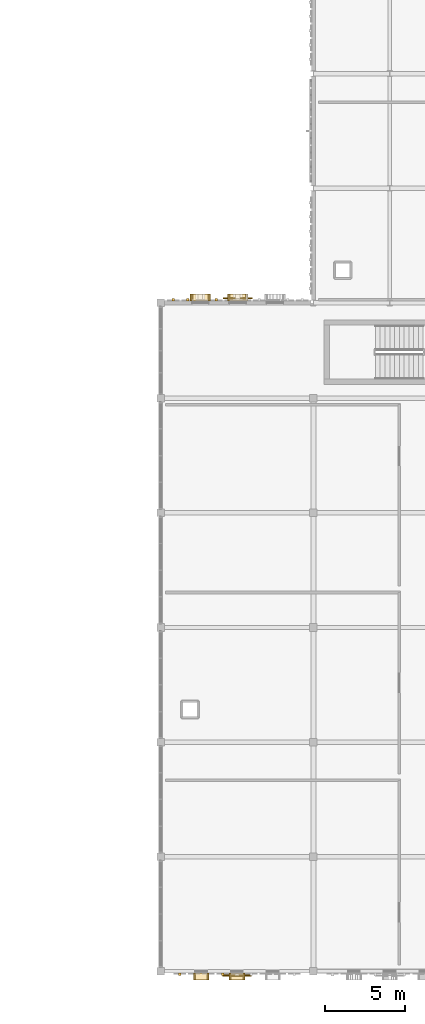
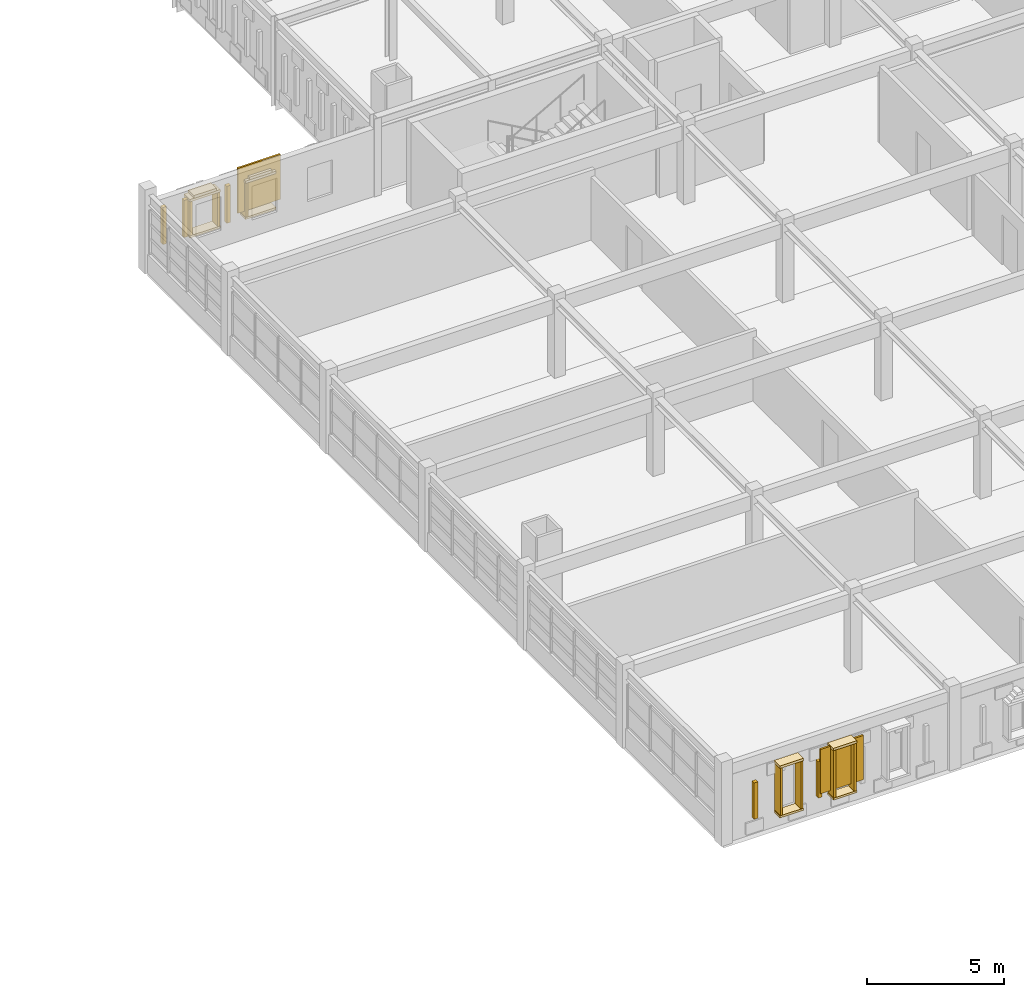
# One storey, part 42 of 53: 22 coverings, 2 shading devices.
"""IFC4 building model written with IfcOpenShell, lengths in metres."""

import ifcopenshell
import ifcopenshell.guid

model = None  # the IFC model being written
_history = None  # IfcOwnerHistory: only IFC2X3 demands one
_inside = {}  # id of a spatial element -> (the spatial element, [elements in it])
_under = {}  # id of a project, library or spatial element -> (it, [spatial elements below it])
_declared = {}  # id of a project -> (the project, [libraries it declares])
_typed = {}  # id of a type object -> (the type object, [elements of that type])
_made_of = {}  # id of a material, layer set ... -> (it, [elements and type objects made of it])


def new_model(schema):
    """Start an empty IFC model of exactly this schema.

    Asked for "IFC4X3", IfcOpenShell would pick the latest addendum, in which some entities
    have other attributes; the version numbers below select the first issue.
    IFC2X3 requires an IfcOwnerHistory on every rooted entity: one is made here for all.
    """
    global model, _history
    if schema == "IFC4X3":
        model = ifcopenshell.file(schema_version=(4, 3, 0, 0))
    else:
        model = ifcopenshell.file(schema=schema)
    _inside.clear()
    _under.clear()
    _declared.clear()
    _typed.clear()
    _made_of.clear()
    _history = None
    if model.schema == "IFC2X3":
        org = make("IfcOrganization", Name="unknown")
        user = make(
            "IfcPersonAndOrganization",
            ThePerson=make("IfcPerson", FamilyName="unknown"),
            TheOrganization=org,
        )
        app = make(
            "IfcApplication",
            ApplicationDeveloper=org,
            Version="unknown",
            ApplicationFullName="unknown",
            ApplicationIdentifier="unknown",
        )
        _history = make(
            "IfcOwnerHistory",
            OwningUser=user,
            OwningApplication=app,
            ChangeAction="ADDED",
            CreationDate=0,
        )
    return model


def make(cls, **values):
    """One entity of the class cls with the attributes given. An attribute that is None is left unset."""
    return model.create_entity(
        cls, **{name: value for name, value in values.items() if value is not None}
    )


def rooted(cls, **values):
    """An entity with a GlobalId (a new one), such as an element, a storey or a relation."""
    return make(cls, GlobalId=ifcopenshell.guid.new(), OwnerHistory=_history, **values)


def si_unit(unit_type, name, prefix=None):
    """IfcSIUnit, for example si_unit("LENGTHUNIT", "METRE", prefix="MILLI")."""
    return make("IfcSIUnit", UnitType=unit_type, Prefix=prefix, Name=name)


def assignment(units):
    """IfcUnitAssignment: the units of a project."""
    return None if units is None else make("IfcUnitAssignment", Units=units)


def point(xyz):
    """IfcCartesianPoint."""
    return None if xyz is None else make("IfcCartesianPoint", Coordinates=xyz)


def direction(xyz):
    """IfcDirection."""
    return None if xyz is None else make("IfcDirection", DirectionRatios=xyz)


def frame(location, z_axis=None, x_axis=None):
    """IfcAxis2Placement3D, a coordinate frame: its origin and axes. An axis left out is left unset."""
    return make(
        "IfcAxis2Placement3D",
        Location=point(location),
        Axis=direction(z_axis),
        RefDirection=direction(x_axis),
    )


def frame_2d(location, x_axis=None):
    """IfcAxis2Placement2D, a coordinate frame in the plane: its origin and x axis."""
    return make(
        "IfcAxis2Placement2D", Location=point(location), RefDirection=direction(x_axis)
    )


def origin():
    """The frame at (0, 0, 0) with its axes left unset."""
    return frame((0.0, 0.0, 0.0))


def origin_2d():
    """The frame at (0, 0) in the plane with its x axis left unset."""
    return frame_2d((0.0, 0.0))


def place(relative_to, where):
    """IfcLocalPlacement: puts the frame where relative to a parent placement (None: the world)."""
    return make(
        "IfcLocalPlacement", PlacementRelTo=relative_to, RelativePlacement=where
    )


def context(
    kind, dimensions, precision=None, world=None, true_north=None, identifier=None
):
    """IfcGeometricRepresentationContext, for example the 3D "Model" context."""
    return make(
        "IfcGeometricRepresentationContext",
        ContextIdentifier=identifier,
        ContextType=kind,
        CoordinateSpaceDimension=dimensions,
        Precision=precision,
        WorldCoordinateSystem=world,
        TrueNorth=true_north,
    )


def subcontext(parent, identifier, kind, view, scale=None):
    """IfcGeometricRepresentationSubContext, for example "Body" below "Model"."""
    return make(
        "IfcGeometricRepresentationSubContext",
        ContextIdentifier=identifier,
        ContextType=kind,
        ParentContext=parent,
        TargetScale=scale,
        TargetView=view,
    )


def project(units=None, contexts=None):
    """IfcProject with its units and contexts."""
    return rooted(
        "IfcProject",
        Name="project",
        RepresentationContexts=contexts,
        UnitsInContext=assignment(units),
    )


def spatial(cls, under=None, at=None, **own):
    """A site, building, storey or space (cls), placed at a placement, below another one or the project."""
    s = rooted(cls, ObjectPlacement=at, **own)
    if under is not None:
        _under.setdefault(under.id(), (under, []))[1].append(s)
    return s


def profile(cls, at=None, kind="AREA", **sizes):
    """A parametric profile (cls). Its sizes go by their IFC names, for example OverallWidth=200.0."""
    return make(cls, ProfileType=kind, Position=at, **sizes)


def rectangle(**sizes):
    """IfcRectangleProfileDef."""
    return profile("IfcRectangleProfileDef", **sizes)


def extrude(swept, where, along, depth):
    """IfcExtrudedAreaSolid: the profile swept, set in the frame where, extruded along a direction by depth."""
    return make(
        "IfcExtrudedAreaSolid",
        SweptArea=swept,
        Position=where,
        ExtrudedDirection=direction(along),
        Depth=depth,
    )


def shape(context_of_items, identifier, shape_type, items):
    """IfcShapeRepresentation: the items that make up one representation, for example the "Body"."""
    return make(
        "IfcShapeRepresentation",
        ContextOfItems=context_of_items,
        RepresentationIdentifier=identifier,
        RepresentationType=shape_type,
        Items=items,
    )


def material(Name=None, Category=None):
    """IfcMaterial."""
    return make("IfcMaterial", Name=Name, Category=Category)


def layer(
    of_material, thickness, ventilated=None, Name=None, Category=None, Priority=None
):
    """IfcMaterialLayer: one layer of a wall or slab, of a material (None: an air gap)."""
    return make(
        "IfcMaterialLayer",
        Material=of_material,
        LayerThickness=thickness,
        IsVentilated=ventilated,
        Name=Name,
        Category=Category,
        Priority=Priority,
    )


def layer_set(layers, Name=None):
    """IfcMaterialLayerSet."""
    return make("IfcMaterialLayerSet", MaterialLayers=layers, LayerSetName=Name)


def made_of(thing, what):
    """Note that an element or type object is made of a material, layer set ...; save() writes the relation."""
    if what is not None:
        _made_of.setdefault(what.id(), (what, []))[1].append(thing)
    return thing


def type_object(cls, material=None, **own):
    """A type object (cls), such as IfcWallType, which elements share."""
    return made_of(rooted(cls, **own), material)


def element(
    cls,
    number,
    at=None,
    inside=None,
    cuts=None,
    type_object=None,
    material=None,
    context=None,
    identifier="Body",
    shape_type=None,
    held_by="IfcProductDefinitionShape",
    body=None,
    shapes=None,
    **own,
):
    """One element of the class cls, such as IfcWall. Its Tag is "e" and its number.

    at: its placement. inside: the storey or other place that contains it. cuts: it is an
    opening in that element (IfcRelVoidsElement). A single representation is given by context,
    identifier, shape_type and body (its items); several are given by shapes. held_by: the class
    of the entity that holds the representations. save() writes the other relations.
    """
    e = rooted(cls, Tag="e%d" % number, ObjectPlacement=at, **own)
    if body is not None:
        shapes = [shape(context, identifier, shape_type, body)]
    if shapes is not None:
        e.Representation = make(held_by, Representations=shapes)
    if inside is not None:
        _inside.setdefault(inside.id(), (inside, []))[1].append(e)
    if cuts is not None:
        rooted(
            "IfcRelVoidsElement", RelatingBuildingElement=cuts, RelatedOpeningElement=e
        )
    if type_object is not None:
        _typed.setdefault(type_object.id(), (type_object, []))[1].append(e)
    return made_of(e, material)


def aggregate(whole, parts):
    """IfcRelAggregates: a whole, such as a stair, and the parts it consists of."""
    return rooted("IfcRelAggregates", RelatingObject=whole, RelatedObjects=parts)


def save(model, path):
    """Write the relations noted so far, then the file.

    IfcRelAggregates (storeys below a building ...), IfcRelContainedInSpatialStructure (elements
    in a storey), IfcRelDefinesByType, IfcRelAssociatesMaterial and IfcRelDeclares: one each for
    every whole, place, type object, material and project.
    """
    for whole, parts in _under.values():
        aggregate(whole, parts)
    for where, things in _inside.values():
        rooted(
            "IfcRelContainedInSpatialStructure",
            RelatedElements=things,
            RelatingStructure=where,
        )
    for kind, things in _typed.values():
        rooted("IfcRelDefinesByType", RelatedObjects=things, RelatingType=kind)
    for what, things in _made_of.values():
        rooted("IfcRelAssociatesMaterial", RelatedObjects=things, RelatingMaterial=what)
    for by, libraries in _declared.values():
        rooted("IfcRelDeclares", RelatingContext=by, RelatedDefinitions=libraries)
    model.write(path)


model = new_model("IFC4")

# Units and contexts
model_context = context("Model", 3, precision=1e-05, world=origin(), true_north=direction((0.0, 1.0)))
body_context = subcontext(model_context, "Body", "Model", "MODEL_VIEW")
ifc_project = project(units=[si_unit("LENGTHUNIT", "METRE"), si_unit("AREAUNIT", "SQUARE_METRE"), si_unit("VOLUMEUNIT", "CUBIC_METRE"), si_unit("PLANEANGLEUNIT", "RADIAN"), si_unit("MASSUNIT", "GRAM", prefix="KILO")], contexts=[model_context])

# Site, building, storey
site_placement = place(None, origin())
site = spatial("IfcSite", under=ifc_project, at=site_placement, CompositionType="ELEMENT")
building_placement = place(site_placement, origin())
building = spatial("IfcBuilding", under=site, at=building_placement, Name="Nzembalo Square Collegiate School", CompositionType="ELEMENT")
storey_placement = place(building_placement, frame((0.0, 0.0, 13.60009765625)))
storey = spatial("IfcBuildingStorey", under=building, at=storey_placement, Name="L03", CompositionType="ELEMENT", Elevation=13.60009765625)

# Coverings
ifc_material_1 = material(Name="Glazed ochre ceramic lancet rib")
ifc_layer_1 = layer(ifc_material_1, 0.159912109375, Name="Glazed ochre ceramic lancet rib")
ifc_layer_set_1 = layer_set([ifc_layer_1], Name="Glazed ochre ceramic lancet rib")
covering_type_1 = type_object("IfcCoveringType", Name="CL02", PredefinedType="CLADDING", material=ifc_layer_set_1)
for number, where, z_axis, x_axis, name in (
    (1, (131.594970703125, 50.6025390625, 0.760009765625), (0.0, 0.0, 1.0), (1.0, 0.0, 0.0), "Gothic ceramic rib CL02-X0198-0"),
    (2, (132.4951171875, 50.6025390625, 0.760009765625), (0.0, 0.0, 1.0), (1.0, 0.0, 0.0), "Gothic ceramic rib CL02-X0198-1"),
    (3, (134.294921875, 50.6025390625, 0.760009765625), (0.0, 0.0, 1.0), (1.0, 0.0, 0.0), "Gothic ceramic rib CL02-X0198-3"),
):
    element("IfcCovering", number, at=place(storey_placement, frame(where, z_axis=z_axis, x_axis=x_axis)), inside=storey, type_object=covering_type_1, Name=name, PredefinedType="CLADDING", context=body_context, shape_type="SweptSolid", body=[
        extrude(rectangle(XDim=0.159912109375, YDim=0.159912109375, at=origin_2d()), origin(), (0.0, 0.0, 1.0), 1.64892578125),
    ])
for number, where, z_axis, x_axis, name in (
    (4, (132.0, 8.20751953125, 0.759765625), (0.0, 0.0, 1.0), (1.0, 0.0, 0.0), "Gothic ceramic rib CL02-X0217-0"),
    (5, (134.699951171875, 8.20751953125, 0.759765625), (0.0, 0.0, 1.0), (1.0, 0.0, 0.0), "Gothic ceramic rib CL02-X0217-3"),
):
    element("IfcCovering", number, at=place(storey_placement, frame(where, z_axis=z_axis, x_axis=x_axis)), inside=storey, type_object=covering_type_1, Name=name, PredefinedType="CLADDING", context=body_context, shape_type="SweptSolid", body=[
        extrude(rectangle(XDim=0.159912109375, YDim=0.159912109375, at=origin_2d()), origin(), (0.0, 0.0, 1.0), 1.618896484375),
    ])
ifc_material_2 = material(Name="Glazed celadon ceramic window frame")
ifc_layer_2 = layer(ifc_material_2, 0.419921875, Name="Glazed celadon ceramic window frame")
ifc_layer_set_2 = layer_set([ifc_layer_2], Name="Glazed celadon ceramic window frame")
covering_type_2 = type_object("IfcCoveringType", Name="WF01", PredefinedType="CLADDING", material=ifc_layer_set_2)
covering_1_placement = place(storey_placement, frame((133.301025390625, 50.737548828125, 2.2548828125), z_axis=(0.0, 0.0, 1.0), x_axis=(1.0, 0.0, 0.0)))
element("IfcCovering", 6, at=covering_1_placement, inside=storey, type_object=covering_type_2, Name="Deep lancet window hood WF01-0532", PredefinedType="CLADDING", context=body_context, shape_type="SweptSolid", body=[
    extrude(rectangle(XDim=1.2900390625, YDim=0.419921875, at=origin_2d()), origin(), (0.0, 0.0, 1.0), 0.110107421875),
])
covering_2_placement = place(storey_placement, frame((133.301025390625, 50.737548828125, 2.35986328125), z_axis=(0.0, 0.0, 1.0), x_axis=(1.0, 0.0, 0.0)))
element("IfcCovering", 7, at=covering_2_placement, inside=storey, type_object=covering_type_2, Name="Pointed lancet gable WF01-0532-1", PredefinedType="CLADDING", context=body_context, shape_type="SweptSolid", body=[
    extrude(rectangle(XDim=0.949951171875, YDim=0.419921875, at=origin_2d()), origin(), (0.0, 0.0, 1.0), 0.1201171875),
])
covering_3_placement = place(storey_placement, frame((133.301025390625, 50.737548828125, 0.65478515625), z_axis=(0.0, 0.0, 1.0), x_axis=(1.0, 0.0, 0.0)))
element("IfcCovering", 8, at=covering_3_placement, inside=storey, type_object=covering_type_2, Name="Deep lancet window sill WF01-0532", PredefinedType="CLADDING", context=body_context, shape_type="SweptSolid", body=[
    extrude(rectangle(XDim=1.2900390625, YDim=0.419921875, at=origin_2d()), origin(), (0.0, 0.0, 1.0), 0.090087890625),
])
for number, where, z_axis, x_axis, name in (
    (9, (132.720947265625, 50.737548828125, 0.75), (0.0, 0.0, 1.0), (1.0, 0.0, 0.0), "Deep lancet window jamb WF01-0532L"),
    (10, (133.881103515625, 50.737548828125, 0.75), (0.0, 0.0, 1.0), (1.0, 0.0, 0.0), "Deep lancet window jamb WF01-0532R"),
):
    element("IfcCovering", number, at=place(storey_placement, frame(where, z_axis=z_axis, x_axis=x_axis)), inside=storey, type_object=covering_type_2, Name=name, PredefinedType="CLADDING", context=body_context, shape_type="SweptSolid", body=[
        extrude(rectangle(XDim=0.10009765625, YDim=0.419921875, at=origin_2d()), origin(), (0.0, 0.0, 1.0), 1.5),
    ])
covering_4_placement = place(storey_placement, frame((135.64501953125, 50.737548828125, 2.2548828125), z_axis=(0.0, 0.0, 1.0), x_axis=(1.0, 0.0, 0.0)))
element("IfcCovering", 11, at=covering_4_placement, inside=storey, type_object=covering_type_2, Name="Deep lancet window hood WF01-0533", PredefinedType="CLADDING", context=body_context, shape_type="SweptSolid", body=[
    extrude(rectangle(XDim=1.2900390625, YDim=0.419921875, at=origin_2d()), origin(), (0.0, 0.0, 1.0), 0.110107421875),
])
covering_5_placement = place(storey_placement, frame((135.64501953125, 50.737548828125, 2.35986328125), z_axis=(0.0, 0.0, 1.0), x_axis=(1.0, 0.0, 0.0)))
element("IfcCovering", 12, at=covering_5_placement, inside=storey, type_object=covering_type_2, Name="Pointed lancet gable WF01-0533-1", PredefinedType="CLADDING", context=body_context, shape_type="SweptSolid", body=[
    extrude(rectangle(XDim=0.949951171875, YDim=0.419921875, at=origin_2d()), origin(), (0.0, 0.0, 1.0), 0.1201171875),
])
covering_6_placement = place(storey_placement, frame((135.64501953125, 50.737548828125, 0.65478515625), z_axis=(0.0, 0.0, 1.0), x_axis=(1.0, 0.0, 0.0)))
element("IfcCovering", 13, at=covering_6_placement, inside=storey, type_object=covering_type_2, Name="Deep lancet window sill WF01-0533", PredefinedType="CLADDING", context=body_context, shape_type="SweptSolid", body=[
    extrude(rectangle(XDim=1.2900390625, YDim=0.419921875, at=origin_2d()), origin(), (0.0, 0.0, 1.0), 0.090087890625),
])
covering_7_placement = place(storey_placement, frame((135.06494140625, 50.737548828125, 0.75), z_axis=(0.0, 0.0, 1.0), x_axis=(1.0, 0.0, 0.0)))
element("IfcCovering", 14, at=covering_7_placement, inside=storey, type_object=covering_type_2, Name="Deep lancet window jamb WF01-0533L", PredefinedType="CLADDING", context=body_context, shape_type="SweptSolid", body=[
    extrude(rectangle(XDim=0.10009765625, YDim=0.419921875, at=origin_2d()), origin(), (0.0, 0.0, 1.0), 1.5),
])
covering_8_placement = place(storey_placement, frame((133.353515625, 8.072509765625, 2.85498046875), z_axis=(0.0, 0.0, 1.0), x_axis=(1.0, 0.0, 0.0)))
element("IfcCovering", 15, at=covering_8_placement, inside=storey, type_object=covering_type_2, Name="Deep lancet window hood WF01-0667", PredefinedType="CLADDING", context=body_context, shape_type="SweptSolid", body=[
    extrude(rectangle(XDim=0.989990234375, YDim=0.419921875, at=origin_2d()), origin(), (0.0, 0.0, 1.0), 0.110107421875),
])
covering_9_placement = place(storey_placement, frame((133.353515625, 8.072509765625, 0.65478515625), z_axis=(0.0, 0.0, 1.0), x_axis=(1.0, 0.0, 0.0)))
element("IfcCovering", 16, at=covering_9_placement, inside=storey, type_object=covering_type_2, Name="Deep lancet window sill WF01-0667", PredefinedType="CLADDING", context=body_context, shape_type="SweptSolid", body=[
    extrude(rectangle(XDim=0.989990234375, YDim=0.419921875, at=origin_2d()), origin(), (0.0, 0.0, 1.0), 0.090087890625),
])
for number, where, z_axis, x_axis, name in (
    (17, (132.923583984375, 8.072509765625, 0.749755859375), (0.0, 0.0, 1.0), (1.0, 0.0, 0.0), "Deep lancet window jamb WF01-0667L"),
    (18, (133.783447265625, 8.072509765625, 0.749755859375), (0.0, 0.0, 1.0), (1.0, 0.0, 0.0), "Deep lancet window jamb WF01-0667R"),
):
    element("IfcCovering", number, at=place(storey_placement, frame(where, z_axis=z_axis, x_axis=x_axis)), inside=storey, type_object=covering_type_2, Name=name, PredefinedType="CLADDING", context=body_context, shape_type="SweptSolid", body=[
        extrude(rectangle(XDim=0.10009765625, YDim=0.419921875, at=origin_2d()), origin(), (0.0, 0.0, 1.0), 2.10009765625),
    ])
covering_10_placement = place(storey_placement, frame((135.60009765625, 8.072509765625, 2.85498046875), z_axis=(0.0, 0.0, 1.0), x_axis=(1.0, 0.0, 0.0)))
element("IfcCovering", 19, at=covering_10_placement, inside=storey, type_object=covering_type_2, Name="Deep lancet window hood WF01-0668", PredefinedType="CLADDING", context=body_context, shape_type="SweptSolid", body=[
    extrude(rectangle(XDim=0.989990234375, YDim=0.419921875, at=origin_2d()), origin(), (0.0, 0.0, 1.0), 0.110107421875),
])
covering_11_placement = place(storey_placement, frame((135.60009765625, 8.072509765625, 0.65478515625), z_axis=(0.0, 0.0, 1.0), x_axis=(1.0, 0.0, 0.0)))
element("IfcCovering", 20, at=covering_11_placement, inside=storey, type_object=covering_type_2, Name="Deep lancet window sill WF01-0668", PredefinedType="CLADDING", context=body_context, shape_type="SweptSolid", body=[
    extrude(rectangle(XDim=0.989990234375, YDim=0.419921875, at=origin_2d()), origin(), (0.0, 0.0, 1.0), 0.090087890625),
])
for number, where, z_axis, x_axis, name in (
    (21, (135.169921875, 8.072509765625, 0.749755859375), (0.0, 0.0, 1.0), (1.0, 0.0, 0.0), "Deep lancet window jamb WF01-0668L"),
    (22, (136.030029296875, 8.072509765625, 0.749755859375), (0.0, 0.0, 1.0), (1.0, 0.0, 0.0), "Deep lancet window jamb WF01-0668R"),
):
    element("IfcCovering", number, at=place(storey_placement, frame(where, z_axis=z_axis, x_axis=x_axis)), inside=storey, type_object=covering_type_2, Name=name, PredefinedType="CLADDING", context=body_context, shape_type="SweptSolid", body=[
        extrude(rectangle(XDim=0.10009765625, YDim=0.419921875, at=origin_2d()), origin(), (0.0, 0.0, 1.0), 2.10009765625),
    ])

# Shading devices
ifc_material_3 = material(Name="Glazed cobalt ceramic lancet screen")
ifc_layer_3 = layer(ifc_material_3, 0.080078125, Name="Glazed cobalt ceramic lancet screen")
ifc_layer_set_3 = layer_set([ifc_layer_3], Name="Glazed cobalt ceramic lancet screen")
shading_device_type = type_object("IfcShadingDeviceType", Name="SC01", PredefinedType="USERDEFINED", material=ifc_layer_set_3)
shading_device_1_placement = place(storey_placement, frame((135.64501953125, 50.6826171875, 0.949951171875), z_axis=(0.0, 0.0, 1.0), x_axis=(1.0, 0.0, 0.0)))
element("IfcShadingDevice", 23, at=shading_device_1_placement, inside=storey, type_object=shading_device_type, Name="Ceramic lancet screen SC01-015", ObjectType="SCREEN", PredefinedType="USERDEFINED", context=body_context, shape_type="SweptSolid", body=[
    extrude(rectangle(XDim=1.800048828125, YDim=0.080078125, at=origin_2d()), origin(), (0.0, 0.0, 1.0), 1.9990234375),
])
shading_device_2_placement = place(storey_placement, frame((135.60009765625, 8.12744140625, 0.94970703125), z_axis=(0.0, 0.0, 1.0), x_axis=(1.0, 0.0, 0.0)))
element("IfcShadingDevice", 24, at=shading_device_2_placement, inside=storey, type_object=shading_device_type, Name="Ceramic lancet screen SC01-017", ObjectType="SCREEN", PredefinedType="USERDEFINED", context=body_context, shape_type="SweptSolid", body=[
    extrude(rectangle(XDim=1.800048828125, YDim=0.080078125, at=origin_2d()), origin(), (0.0, 0.0, 1.0), 1.968994140625),
])

save(model, "model.ifc")
